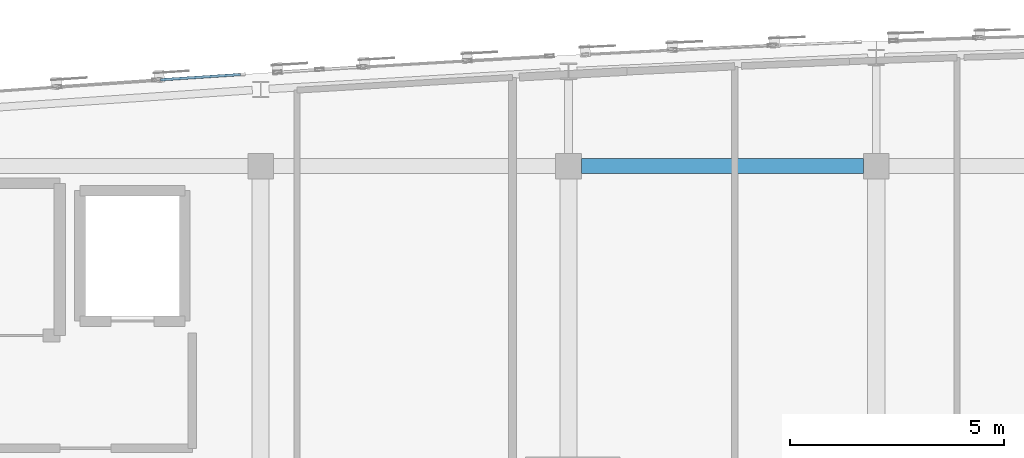
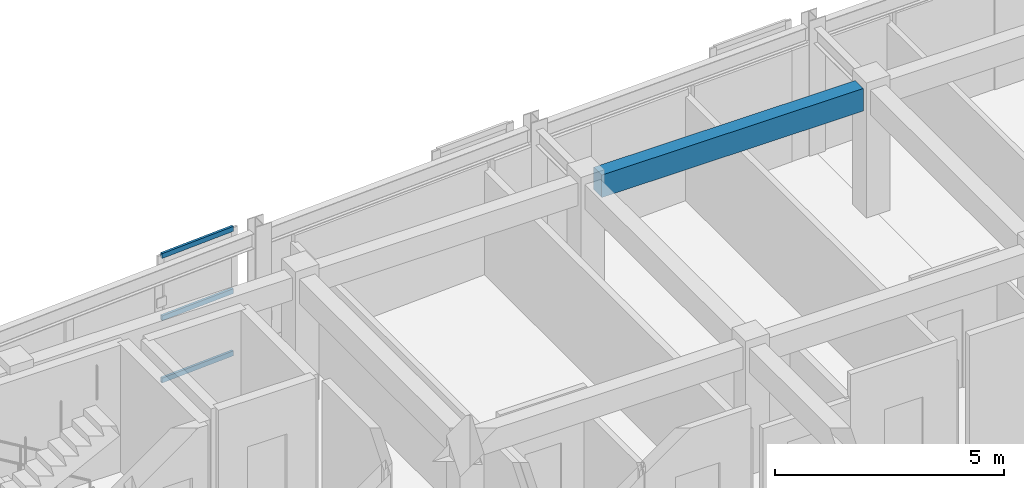
# One storey, part 11 of 41: 3 members, 1 beam, 1 element without a shape of its own.
"""IFC4 building model written with IfcOpenShell, lengths in metres."""

from ifc_helpers import new_model, si_unit, direction, frame, origin, origin_2d, place, context, subcontext, project, spatial, rectangle, hollow_rectangle, extrude, material, layer, layer_set, material_profile, profile_set, type_object, element, aggregate, save


model = new_model("IFC4")

# Units and contexts
model_context = context("Model", 3, precision=1e-05, world=origin(), true_north=direction((0.0, 1.0)))
body_context = subcontext(model_context, "Body", "Model", "MODEL_VIEW")
ifc_project = project(units=[si_unit("LENGTHUNIT", "METRE"), si_unit("AREAUNIT", "SQUARE_METRE"), si_unit("VOLUMEUNIT", "CUBIC_METRE"), si_unit("PLANEANGLEUNIT", "RADIAN"), si_unit("MASSUNIT", "GRAM", prefix="KILO")], contexts=[model_context])

# Site, building, storey
site_placement = place(None, origin())
site = spatial("IfcSite", under=ifc_project, at=site_placement, CompositionType="ELEMENT")
building_placement = place(site_placement, origin())
building = spatial("IfcBuilding", under=site, at=building_placement, Name="Carrowvane Square Congress Hotel", CompositionType="ELEMENT")
storey_placement = place(building_placement, frame((0.0, 0.0, 37.199951171875)))
storey = spatial("IfcBuildingStorey", under=building, at=storey_placement, Name="L09", CompositionType="ELEMENT", Elevation=37.199951171875)

# Beam
ifc_material_1 = material(Name="Concrete C35/45", Category="concrete")
ifc_material_profile_1 = material_profile(ifc_material_1, rectangle(XDim=0.35009765625, YDim=0.60009765625, at=origin_2d()), Name="RC 350x600")
ifc_profile_set_1 = profile_set([ifc_material_profile_1], Name="Concrete C35/45")
beam_type = type_object("IfcBeamType", Name="BM-RC-350x600", PredefinedType="BEAM", material=ifc_profile_set_1)
beam_placement = place(storey_placement, frame((76.699951171875, 113.39990234375, 3.080078125), z_axis=(1.0, 0.0, 0.0), x_axis=(0.0, 1.0, 0.0)))
element("IfcBeam", 1, at=beam_placement, inside=storey, type_object=beam_type, Name="L10 girder R/10-11", PredefinedType="BEAM", context=body_context, shape_type="SweptSolid", body=[
    extrude(rectangle(XDim=0.35009765625, YDim=0.60009765625, at=origin_2d()), origin(), (0.0, 0.0, 1.0), 6.60009765625),
])

# Curtain wall, members
ifc_material_2 = material(Name="Anodised aluminium", Category="aluminium")
ifc_layer = layer(ifc_material_2, 0.23388671875)
ifc_layer_set = layer_set([ifc_layer], Name="Anodised aluminium")
curtain_wall_type = type_object("IfcCurtainWallType", Name="CW-SYS-7", PredefinedType="NOTDEFINED", material=ifc_layer_set)
curtain_wall_placement = place(storey_placement, origin())
curtain_wall = element("IfcCurtainWall", 2, at=curtain_wall_placement, inside=storey, type_object=curtain_wall_type, Name="L09 unitised curtain wall 518", PredefinedType="NOTDEFINED")
ifc_material_3 = material(Name="Anodised aluminium", Category="aluminium")
ifc_material_profile_2 = material_profile(ifc_material_3, hollow_rectangle(XDim=0.06005859375, YDim=0.1298828125, WallThickness=0.00390625, at=origin_2d()), Name="CW-TR 60x130x4")
ifc_profile_set_2 = profile_set([ifc_material_profile_2], Name="Anodised aluminium")
member_type = type_object("IfcMemberType", Name="CW-TRN-1", PredefinedType="USERDEFINED", material=ifc_profile_set_2)
member_1_placement = place(storey_placement, frame((66.85986328125, 115.4208984375, 0.030029296875), z_axis=(0.997854858908, 0.065465109434, 0.0), x_axis=(-0.065465109434, 0.997854858908, 0.0)))
member_1 = element("IfcMember", 3, at=member_1_placement, type_object=member_type, Name="CW-7 transom 1.1", ObjectType="TRANSOM", PredefinedType="USERDEFINED", context=body_context, shape_type="SweptSolid", body=[
    extrude(hollow_rectangle(XDim=0.06005859375, YDim=0.1298828125, WallThickness=0.00390625, at=origin_2d()), origin(), (0.0, 0.0, 1.0), 1.875732421875),
])
member_2_placement = place(storey_placement, frame((66.85986328125, 115.4208984375, 1.68994140625), z_axis=(0.997854858908, 0.065465109434, 0.0), x_axis=(-0.065465109434, 0.997854858908, 0.0)))
member_2 = element("IfcMember", 4, at=member_2_placement, type_object=member_type, Name="CW-7 transom 1.2", ObjectType="TRANSOM", PredefinedType="USERDEFINED", context=body_context, shape_type="SweptSolid", body=[
    extrude(hollow_rectangle(XDim=0.06005859375, YDim=0.1298828125, WallThickness=0.00390625, at=origin_2d()), origin(), (0.0, 0.0, 1.0), 1.875732421875),
])
member_3_placement = place(storey_placement, frame((66.85986328125, 115.4208984375, 3.35009765625), z_axis=(0.997854858908, 0.065465109434, 0.0), x_axis=(-0.065465109434, 0.997854858908, 0.0)))
member_3 = element("IfcMember", 5, at=member_3_placement, type_object=member_type, Name="CW-7 transom 1.3", ObjectType="TRANSOM", PredefinedType="USERDEFINED", context=body_context, shape_type="SweptSolid", body=[
    extrude(hollow_rectangle(XDim=0.06005859375, YDim=0.1298828125, WallThickness=0.00390625, at=origin_2d()), origin(), (0.0, 0.0, 1.0), 1.875732421875),
])
aggregate(curtain_wall, [member_1, member_2, member_3])

save(model, "model.ifc")
